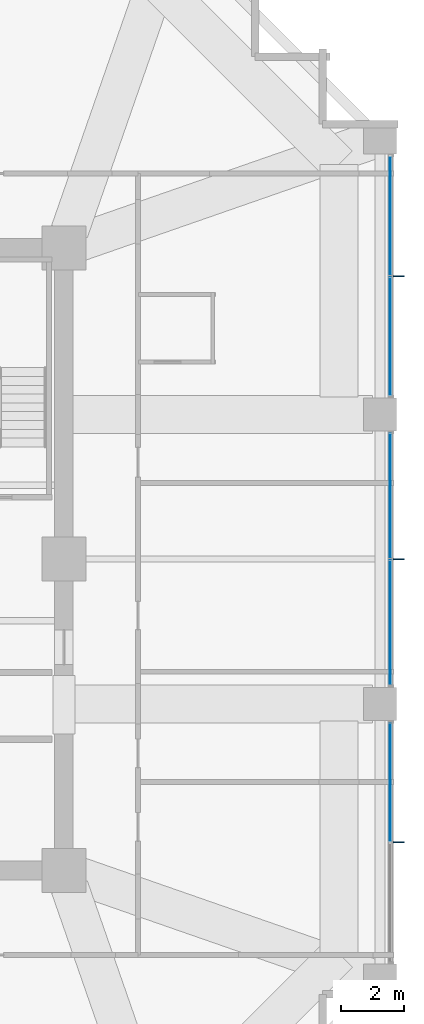
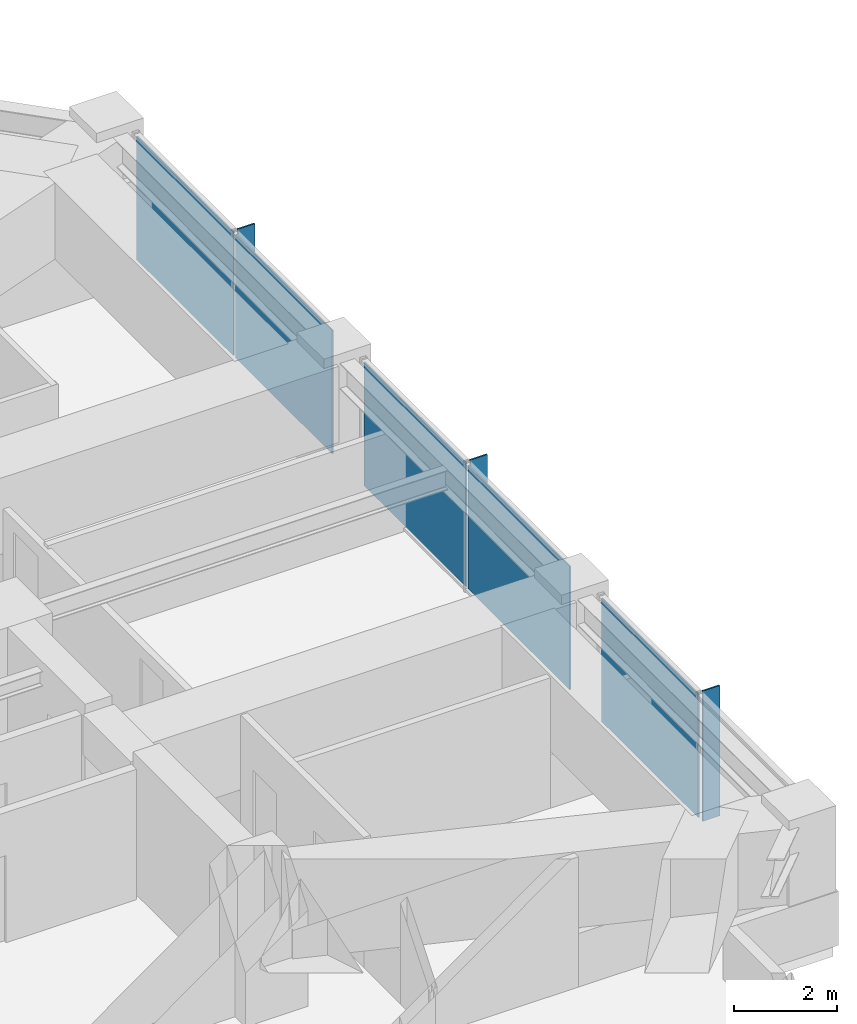
# One storey, part 28 of 34: 8 plates, 3 elements without a shape of their own.
"""IFC4 building model written with IfcOpenShell, lengths in metres."""

from ifc_helpers import new_model, si_unit, direction, frame, origin, origin_2d, place, context, subcontext, project, spatial, rectangle, extrude, material, layer, layer_set, type_object, element, aggregate, save


model = new_model("IFC4")

# Units and contexts
model_context = context("Model", 3, precision=1e-05, world=origin(), true_north=direction((0.0, 1.0)))
body_context = subcontext(model_context, "Body", "Model", "MODEL_VIEW")
ifc_project = project(units=[si_unit("LENGTHUNIT", "METRE"), si_unit("AREAUNIT", "SQUARE_METRE"), si_unit("VOLUMEUNIT", "CUBIC_METRE"), si_unit("PLANEANGLEUNIT", "RADIAN"), si_unit("MASSUNIT", "GRAM", prefix="KILO")], contexts=[model_context])

# Site, building, storey
site_placement = place(None, origin())
site = spatial("IfcSite", under=ifc_project, at=site_placement, CompositionType="ELEMENT")
building_placement = place(site_placement, origin())
building = spatial("IfcBuilding", under=site, at=building_placement, Name="Kolvaren Belvedere", CompositionType="ELEMENT")
storey_placement = place(building_placement, frame((0.0, 0.0, 105.199951171875)))
storey = spatial("IfcBuildingStorey", under=building, at=storey_placement, Name="L30", CompositionType="ELEMENT", Elevation=105.199951171875)

# Curtain wall, plates
ifc_material_1 = material(Name="Anodised pale-metal aluminium AA 6063-T6", Category="aluminium")
curtain_wall_type = type_object("IfcCurtainWallType", Name="CW-Z2-MID", PredefinedType="NOTDEFINED", material=ifc_material_1)
curtain_wall_1_placement = place(storey_placement, origin())
curtain_wall_1 = element("IfcCurtainWall", 1, at=curtain_wall_1_placement, inside=storey, type_object=curtain_wall_type, Name="L30 Unitised Curtain Wall FCW-L30-E-B1", PredefinedType="NOTDEFINED")
ifc_material_2 = material(Name="Low-iron triple insulated glass", Category="glass")
ifc_layer_1 = layer(ifc_material_2, 0.028076171875)
ifc_layer_set_1 = layer_set([ifc_layer_1], Name="Low-iron triple insulated glass")
plate_type_1 = type_object("IfcPlateType", Name="CW-PNL-VIS28", PredefinedType="CURTAIN_PANEL", material=ifc_layer_set_1)
plate_1_placement = place(storey_placement, frame((20.280029296875, 10.9111328125, 0.080078125), z_axis=(0.0, 0.0, 1.0), x_axis=(0.0, -1.0, 0.0)))
plate_1 = element("IfcPlate", 2, at=plate_1_placement, type_object=plate_type_1, Name="FCW-L30-E-B1 Vision Glazing Panel 1", PredefinedType="CURTAIN_PANEL", context=body_context, shape_type="SweptSolid", body=[
    extrude(rectangle(XDim=3.742431640625, YDim=0.028076171875, at=origin_2d()), origin(), (0.0, 0.0, 1.0), 2.919921875),
])
plate_2_placement = place(storey_placement, frame((20.280029296875, 7.0888671875, 0.080078125), z_axis=(0.0, 0.0, 1.0), x_axis=(0.0, -1.0, 0.0)))
plate_2 = element("IfcPlate", 3, at=plate_2_placement, type_object=plate_type_1, Name="FCW-L30-E-B1 Vision Glazing Panel 2", PredefinedType="CURTAIN_PANEL", context=body_context, shape_type="SweptSolid", body=[
    extrude(rectangle(XDim=3.742431640625, YDim=0.028076171875, at=origin_2d()), origin(), (0.0, 0.0, 1.0), 2.919921875),
])
aggregate(curtain_wall_1, [plate_1, plate_2])

curtain_wall_2_placement = place(storey_placement, origin())
curtain_wall_2 = element("IfcCurtainWall", 4, at=curtain_wall_2_placement, inside=storey, type_object=curtain_wall_type, Name="L30 Unitised Curtain Wall FCW-L30-E-B2", PredefinedType="NOTDEFINED")
plate_3_placement = place(storey_placement, frame((20.280029296875, 2.01123046875, 0.080078125), z_axis=(0.0, 0.0, 1.0), x_axis=(0.0, -1.0, 0.0)))
plate_3 = element("IfcPlate", 5, at=plate_3_placement, type_object=plate_type_1, Name="FCW-L30-E-B2 Vision Glazing Panel 1", PredefinedType="CURTAIN_PANEL", context=body_context, shape_type="SweptSolid", body=[
    extrude(rectangle(XDim=3.9423828125, YDim=0.028076171875, at=origin_2d()), origin(), (0.0, 0.0, 1.0), 2.919921875),
])
plate_4_placement = place(storey_placement, frame((20.280029296875, -2.01123046875, 0.080078125), z_axis=(0.0, 0.0, 1.0), x_axis=(0.0, -1.0, 0.0)))
plate_4 = element("IfcPlate", 6, at=plate_4_placement, type_object=plate_type_1, Name="FCW-L30-E-B2 Vision Glazing Panel 2", PredefinedType="CURTAIN_PANEL", context=body_context, shape_type="SweptSolid", body=[
    extrude(rectangle(XDim=3.9423828125, YDim=0.028076171875, at=origin_2d()), origin(), (0.0, 0.0, 1.0), 2.919921875),
])
aggregate(curtain_wall_2, [plate_3, plate_4])

# Curtain wall, plate
curtain_wall_3_placement = place(storey_placement, origin())
curtain_wall_3 = element("IfcCurtainWall", 7, at=curtain_wall_3_placement, inside=storey, type_object=curtain_wall_type, Name="L30 Unitised Curtain Wall FCW-L30-E-B3", PredefinedType="NOTDEFINED")
plate_5_placement = place(storey_placement, frame((20.280029296875, -7.0888671875, 0.080078125), z_axis=(0.0, 0.0, 1.0), x_axis=(0.0, -1.0, 0.0)))
plate_5 = element("IfcPlate", 8, at=plate_5_placement, type_object=plate_type_1, Name="FCW-L30-E-B3 Vision Glazing Panel 1", PredefinedType="CURTAIN_PANEL", context=body_context, shape_type="SweptSolid", body=[
    extrude(rectangle(XDim=3.742431640625, YDim=0.028076171875, at=origin_2d()), origin(), (0.0, 0.0, 1.0), 2.919921875),
])
aggregate(curtain_wall_3, [plate_5])

# Plates
ifc_material_3 = material(Name="Anodised pale-metal aluminium AA 6063-T6", Category="aluminium")
ifc_layer_2 = layer(ifc_material_3, 0.033935546875)
ifc_layer_set_2 = layer_set([ifc_layer_2], Name="Anodised pale-metal aluminium AA 6063-T6")
plate_type_2 = type_object("IfcPlateType", Name="FIN-VERT-380", PredefinedType="USERDEFINED", material=ifc_layer_set_2)
for number, where, z_axis, x_axis, name in (
    (9, (20.52490234375, 9.0, 0.0), (0.0, 0.0, 1.0), (1.0, 0.0, 0.0), "L30 Pale-Metal Vertical Shading Fin FCW-L30-E-B1-1"),
    (10, (20.52490234375, 0.0, 0.0), (0.0, 0.0, 1.0), (1.0, 0.0, 0.0), "L30 Pale-Metal Vertical Shading Fin FCW-L30-E-B2-1"),
    (11, (20.52490234375, -9.0, 0.0), (0.0, 0.0, 1.0), (1.0, 0.0, 0.0), "L30 Pale-Metal Vertical Shading Fin FCW-L30-E-B3-1"),
):
    element("IfcPlate", number, at=place(storey_placement, frame(where, z_axis=z_axis, x_axis=x_axis)), inside=storey, type_object=plate_type_2, Name=name, ObjectType="VERTICAL FIN", PredefinedType="USERDEFINED", context=body_context, shape_type="SweptSolid", body=[
        extrude(rectangle(XDim=0.3798828125, YDim=0.033935546875, at=origin_2d()), origin(), (0.0, 0.0, 1.0), 3.080078125),
    ])

save(model, "model.ifc")
